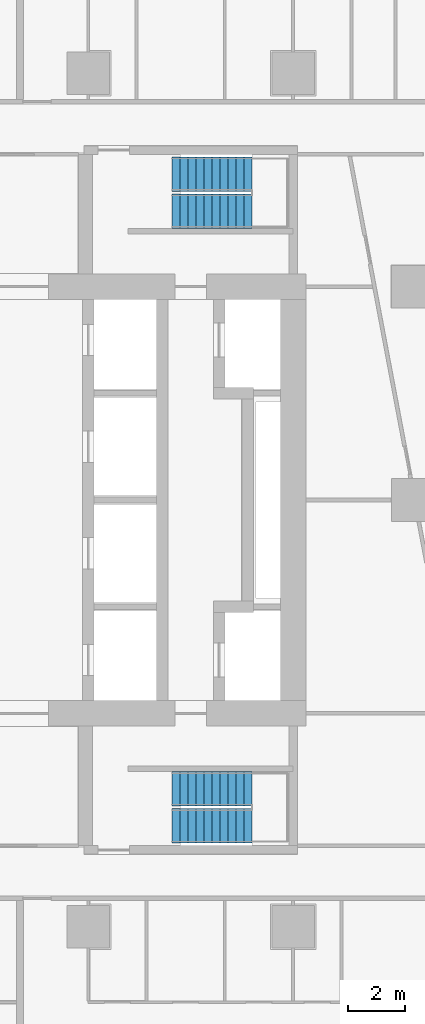
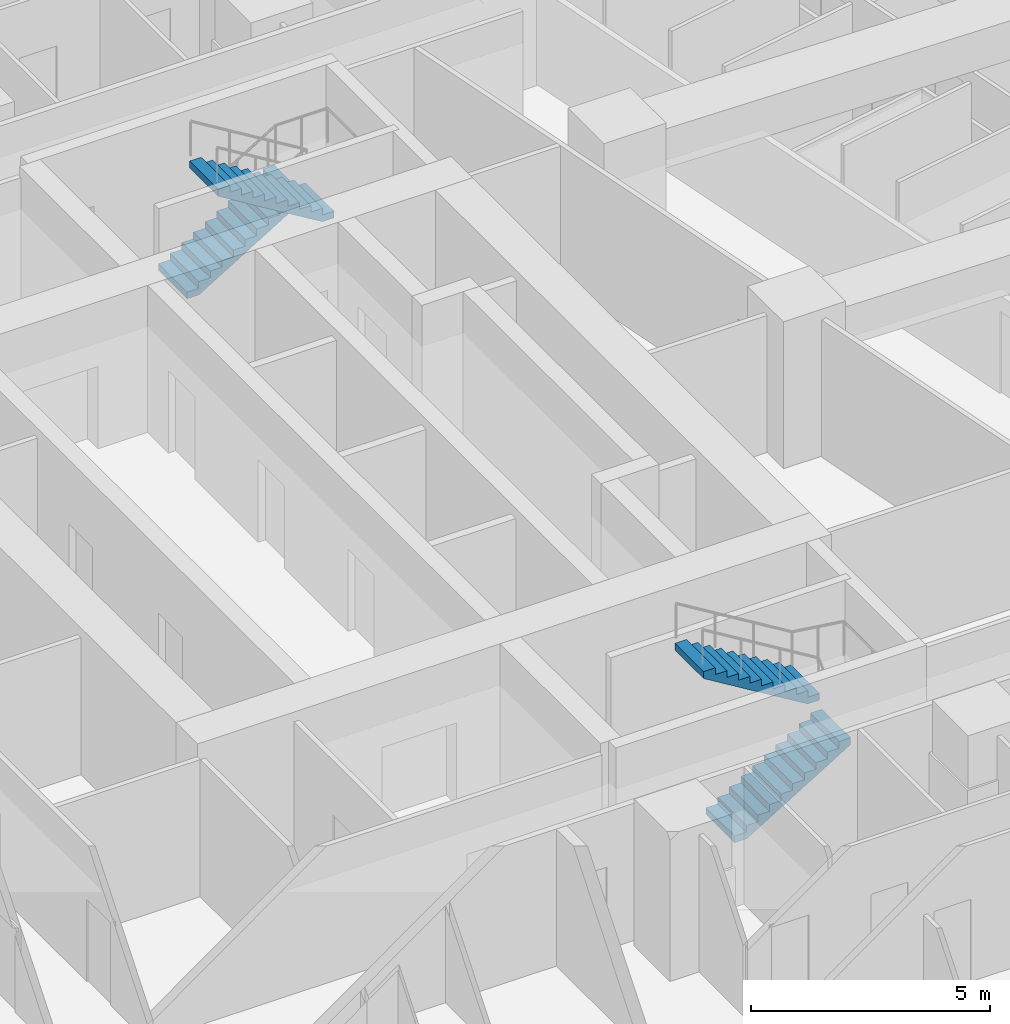
# One storey, part 13 of 15: 4 stair flights, 2 elements without a shape of their own.
"""IFC4 building model written with IfcOpenShell, lengths in metres."""

from ifc_helpers import new_model, si_unit, direction, frame, origin, place, context, subcontext, project, spatial, triangles, material, type_object, element, aggregate, save


model = new_model("IFC4")

# Units and contexts
model_context = context("Model", 3, precision=1e-05, world=origin(), true_north=direction((0.0, 1.0)))
body_context = subcontext(model_context, "Body", "Model", "MODEL_VIEW")
ifc_project = project(units=[si_unit("LENGTHUNIT", "METRE"), si_unit("AREAUNIT", "SQUARE_METRE"), si_unit("VOLUMEUNIT", "CUBIC_METRE"), si_unit("PLANEANGLEUNIT", "RADIAN"), si_unit("MASSUNIT", "GRAM", prefix="KILO")], contexts=[model_context])

# Site, building, storey
site_placement = place(None, origin())
site = spatial("IfcSite", under=ifc_project, at=site_placement, CompositionType="ELEMENT")
building_placement = place(site_placement, origin())
building = spatial("IfcBuilding", under=site, at=building_placement, Name="Sheger Commons Tower", CompositionType="ELEMENT")
storey_placement = place(building_placement, frame((0.0, 0.0, 165.800048828125)))
storey = spatial("IfcBuildingStorey", under=building, at=storey_placement, Name="L42", CompositionType="ELEMENT", Elevation=165.800048828125)

# Stair, stair flights
ifc_material_1 = material(Name="Concrete C35/45", Category="concrete")
stair_type = type_object("IfcStairType", Name="HALF-TURN STAIR 1200 RISE 3750", PredefinedType="HALF_TURN_STAIR", material=ifc_material_1)
stair_1_placement = place(storey_placement, origin())
stair_1 = element("IfcStair", 1, at=stair_1_placement, inside=storey, type_object=stair_type, Name="Stair S1 L42", PredefinedType="HALF_TURN_STAIR")
ifc_material_2 = material(Name="Concrete C35/45", Category="concrete")
stair_flight_type = type_object("IfcStairFlightType", Name="STAIR FLIGHT 1200 11 RISERS OF 170", PredefinedType="STRAIGHT", material=ifc_material_2)
stair_flight_1_placement = place(storey_placement, frame((24.550048828125, 11.050048828125, 0.0), z_axis=(0.0, 0.0, 1.0), x_axis=(1.0, 0.0, 0.0)))
stair_flight_1 = element("IfcStairFlight", 2, at=stair_flight_1_placement, type_object=stair_flight_type, Name="S1 flight 1", NumberOfRisers=11, NumberOfTreads=10, PredefinedType="STRAIGHT", RiserHeight=0.170454545, TreadLength=0.28, context=body_context, shape_type="Tessellation", body=[
    triangles([(0.0, 0.5999755859375, 0.0), (0.0, 0.5999755859375, 0.17041015625), (0.280029296875, 0.5999755859375, 0.17041015625), (0.280029296875, 0.5999755859375, 0.3408203125), (0.56005859375, 0.5999755859375, 0.3408203125), (0.56005859375, 0.5999755859375, 0.511474609375), (0.840087890625, 0.5999755859375, 0.511474609375), (0.840087890625, 0.5999755859375, 0.681884765625), (1.1201171875, 0.5999755859375, 0.681884765625), (1.1201171875, 0.5999755859375, 0.852294921875), (1.39990234375, 0.5999755859375, 0.852294921875), (1.39990234375, 0.5999755859375, 1.022705078125), (1.679931640625, 0.5999755859375, 1.022705078125), (1.679931640625, 0.5999755859375, 1.193115234375), (1.9599609375, 0.5999755859375, 1.193115234375), (1.9599609375, 0.5999755859375, 1.363525390625), (2.239990234375, 0.5999755859375, 1.363525390625), (2.239990234375, 0.5999755859375, 1.5341796875), (2.52001953125, 0.5999755859375, 1.5341796875), (2.52001953125, 0.5999755859375, 1.70458984375), (2.800048828125, 0.5999755859375, 1.70458984375), (2.800048828125, 0.5999755859375, 1.529052734375), (0.288330078125, 0.5999755859375, 0.0), (0.0, -0.5999755859375, 0.0), (0.0, -0.5999755859375, 0.17041015625), (0.280029296875, -0.5999755859375, 0.17041015625), (0.280029296875, -0.5999755859375, 0.3408203125), (0.56005859375, -0.5999755859375, 0.3408203125), (0.56005859375, -0.5999755859375, 0.511474609375), (0.840087890625, -0.5999755859375, 0.511474609375), (0.840087890625, -0.5999755859375, 0.681884765625), (1.1201171875, -0.5999755859375, 0.681884765625), (1.1201171875, -0.5999755859375, 0.852294921875), (1.39990234375, -0.5999755859375, 0.852294921875), (1.39990234375, -0.5999755859375, 1.022705078125), (1.679931640625, -0.5999755859375, 1.022705078125), (1.679931640625, -0.5999755859375, 1.193115234375), (1.9599609375, -0.5999755859375, 1.193115234375), (1.9599609375, -0.5999755859375, 1.363525390625), (2.239990234375, -0.5999755859375, 1.363525390625), (2.239990234375, -0.5999755859375, 1.5341796875), (2.52001953125, -0.5999755859375, 1.5341796875), (2.52001953125, -0.5999755859375, 1.70458984375), (2.800048828125, -0.5999755859375, 1.70458984375), (2.800048828125, -0.5999755859375, 1.529052734375), (0.288330078125, -0.5999755859375, 0.0), (0.0, 0.0, 0.085205078125), (0.1400146484375, 0.0, 0.17041015625), (0.280029296875, 0.0, 0.255615234375), (0.4200439453125, 0.0, 0.3408203125), (0.56005859375, 0.0, 0.4261474609375), (0.7000732421875, 0.0, 0.511474609375), (0.840087890625, 0.0, 0.5966796875), (0.9801025390625, 0.0, 0.681884765625), (1.1201171875, 0.0, 0.76708984375), (1.260009765625, 0.0, 0.852294921875), (1.39990234375, 0.0, 0.9375), (1.5399169921875, 0.0, 1.022705078125), (1.679931640625, 0.0, 1.10791015625), (1.8199462890625, 0.0, 1.193115234375), (1.9599609375, 0.0, 1.2783203125), (2.0999755859375, 0.0, 1.363525390625), (2.239990234375, 0.0, 1.4488525390625), (2.3800048828125, 0.0, 1.5341796875), (2.52001953125, 0.0, 1.619384765625), (2.6600341796875, 0.0, 1.70458984375), (2.800048828125, 0.0, 1.6168212890625), (1.544189453125, 0.0, 0.7645263671875), (0.1441650390625, 0.0, 0.0)], [[1, 22, 23], [24, 46, 45], [22, 20, 21], [45, 44, 43], [22, 19, 20], [45, 43, 42], [22, 18, 19], [45, 42, 41], [22, 17, 18], [45, 41, 40], [17, 15, 16], [40, 39, 38], [22, 15, 17], [45, 40, 38], [15, 13, 14], [38, 37, 36], [22, 13, 15], [45, 38, 36], [13, 11, 12], [36, 35, 34], [22, 11, 13], [45, 36, 34], [11, 9, 10], [34, 33, 32], [22, 9, 11], [45, 34, 32], [9, 7, 8], [32, 31, 30], [22, 7, 9], [45, 32, 30], [7, 5, 6], [30, 29, 28], [22, 5, 7], [45, 30, 28], [5, 3, 4], [28, 27, 26], [22, 3, 5], [45, 28, 26], [1, 3, 22], [24, 45, 26], [3, 1, 2], [26, 25, 24], [1, 47, 2], [2, 47, 25], [25, 47, 24], [24, 47, 1], [2, 48, 3], [3, 48, 26], [26, 48, 25], [25, 48, 2], [3, 49, 4], [4, 49, 27], [27, 49, 26], [26, 49, 3], [4, 50, 5], [5, 50, 28], [28, 50, 27], [27, 50, 4], [5, 51, 6], [6, 51, 29], [29, 51, 28], [28, 51, 5], [6, 52, 7], [7, 52, 30], [30, 52, 29], [29, 52, 6], [7, 53, 8], [8, 53, 31], [31, 53, 30], [30, 53, 7], [8, 54, 9], [9, 54, 32], [32, 54, 31], [31, 54, 8], [9, 55, 10], [10, 55, 33], [33, 55, 32], [32, 55, 9], [10, 56, 11], [11, 56, 34], [34, 56, 33], [33, 56, 10], [11, 57, 12], [12, 57, 35], [35, 57, 34], [34, 57, 11], [12, 58, 13], [13, 58, 36], [36, 58, 35], [35, 58, 12], [13, 59, 14], [14, 59, 37], [37, 59, 36], [36, 59, 13], [14, 60, 15], [15, 60, 38], [38, 60, 37], [37, 60, 14], [15, 61, 16], [16, 61, 39], [39, 61, 38], [38, 61, 15], [16, 62, 17], [17, 62, 40], [40, 62, 39], [39, 62, 16], [17, 63, 18], [18, 63, 41], [41, 63, 40], [40, 63, 17], [18, 64, 19], [19, 64, 42], [42, 64, 41], [41, 64, 18], [19, 65, 20], [20, 65, 43], [43, 65, 42], [42, 65, 19], [20, 66, 21], [21, 66, 44], [44, 66, 43], [43, 66, 20], [21, 67, 22], [22, 67, 45], [45, 67, 44], [44, 67, 21], [22, 68, 23], [23, 68, 46], [46, 68, 45], [45, 68, 22], [23, 69, 1], [1, 69, 24], [24, 69, 46], [46, 69, 23]], closed=True),
])
stair_flight_2_placement = place(storey_placement, frame((27.35009765625, 12.35009765625, 1.875), z_axis=(0.0, 0.0, 1.0), x_axis=(-1.0, 0.0, 0.0)))
stair_flight_2 = element("IfcStairFlight", 3, at=stair_flight_2_placement, type_object=stair_flight_type, Name="S1 flight 2", NumberOfRisers=11, NumberOfTreads=10, PredefinedType="STRAIGHT", RiserHeight=0.170454545, TreadLength=0.28, context=body_context, shape_type="Tessellation", body=[
    triangles([(0.0, 0.5999755859375, 0.0), (0.0, 0.5999755859375, 0.17041015625), (0.280029296875, 0.5999755859375, 0.17041015625), (0.280029296875, 0.5999755859375, 0.3408203125), (0.56005859375, 0.5999755859375, 0.3408203125), (0.56005859375, 0.5999755859375, 0.511474609375), (0.840087890625, 0.5999755859375, 0.511474609375), (0.840087890625, 0.5999755859375, 0.681884765625), (1.1201171875, 0.5999755859375, 0.681884765625), (1.1201171875, 0.5999755859375, 0.852294921875), (1.39990234375, 0.5999755859375, 0.852294921875), (1.39990234375, 0.5999755859375, 1.022705078125), (1.679931640625, 0.5999755859375, 1.022705078125), (1.679931640625, 0.5999755859375, 1.193115234375), (1.9599609375, 0.5999755859375, 1.193115234375), (1.9599609375, 0.5999755859375, 1.363525390625), (2.239990234375, 0.5999755859375, 1.363525390625), (2.239990234375, 0.5999755859375, 1.5341796875), (2.52001953125, 0.5999755859375, 1.5341796875), (2.52001953125, 0.5999755859375, 1.70458984375), (2.800048828125, 0.5999755859375, 1.70458984375), (2.800048828125, 0.5999755859375, 1.529052734375), (0.288330078125, 0.5999755859375, 0.0), (0.0, -0.5999755859375, 0.0), (0.0, -0.5999755859375, 0.17041015625), (0.280029296875, -0.5999755859375, 0.17041015625), (0.280029296875, -0.5999755859375, 0.3408203125), (0.56005859375, -0.5999755859375, 0.3408203125), (0.56005859375, -0.5999755859375, 0.511474609375), (0.840087890625, -0.5999755859375, 0.511474609375), (0.840087890625, -0.5999755859375, 0.681884765625), (1.1201171875, -0.5999755859375, 0.681884765625), (1.1201171875, -0.5999755859375, 0.852294921875), (1.39990234375, -0.5999755859375, 0.852294921875), (1.39990234375, -0.5999755859375, 1.022705078125), (1.679931640625, -0.5999755859375, 1.022705078125), (1.679931640625, -0.5999755859375, 1.193115234375), (1.9599609375, -0.5999755859375, 1.193115234375), (1.9599609375, -0.5999755859375, 1.363525390625), (2.239990234375, -0.5999755859375, 1.363525390625), (2.239990234375, -0.5999755859375, 1.5341796875), (2.52001953125, -0.5999755859375, 1.5341796875), (2.52001953125, -0.5999755859375, 1.70458984375), (2.800048828125, -0.5999755859375, 1.70458984375), (2.800048828125, -0.5999755859375, 1.529052734375), (0.288330078125, -0.5999755859375, 0.0), (0.0, 0.0, 0.085205078125), (0.1400146484375, 0.0, 0.17041015625), (0.280029296875, 0.0, 0.255615234375), (0.4200439453125, 0.0, 0.3408203125), (0.56005859375, 0.0, 0.4261474609375), (0.7000732421875, 0.0, 0.511474609375), (0.840087890625, 0.0, 0.5966796875), (0.9801025390625, 0.0, 0.681884765625), (1.1201171875, 0.0, 0.76708984375), (1.260009765625, 0.0, 0.852294921875), (1.39990234375, 0.0, 0.9375), (1.5399169921875, 0.0, 1.022705078125), (1.679931640625, 0.0, 1.10791015625), (1.8199462890625, 0.0, 1.193115234375), (1.9599609375, 0.0, 1.2783203125), (2.0999755859375, 0.0, 1.363525390625), (2.239990234375, 0.0, 1.4488525390625), (2.3800048828125, 0.0, 1.5341796875), (2.52001953125, 0.0, 1.619384765625), (2.6600341796875, 0.0, 1.70458984375), (2.800048828125, 0.0, 1.6168212890625), (1.544189453125, 0.0, 0.7645263671875), (0.1441650390625, 0.0, 0.0)], [[1, 22, 23], [24, 46, 45], [22, 20, 21], [45, 44, 43], [22, 19, 20], [45, 43, 42], [22, 18, 19], [45, 42, 41], [22, 17, 18], [45, 41, 40], [17, 15, 16], [40, 39, 38], [22, 15, 17], [45, 40, 38], [15, 13, 14], [38, 37, 36], [22, 13, 15], [45, 38, 36], [13, 11, 12], [36, 35, 34], [22, 11, 13], [45, 36, 34], [11, 9, 10], [34, 33, 32], [22, 9, 11], [45, 34, 32], [9, 7, 8], [32, 31, 30], [22, 7, 9], [45, 32, 30], [7, 5, 6], [30, 29, 28], [22, 5, 7], [45, 30, 28], [5, 3, 4], [28, 27, 26], [22, 3, 5], [45, 28, 26], [1, 3, 22], [24, 45, 26], [3, 1, 2], [26, 25, 24], [1, 47, 2], [2, 47, 25], [25, 47, 24], [24, 47, 1], [2, 48, 3], [3, 48, 26], [26, 48, 25], [25, 48, 2], [3, 49, 4], [4, 49, 27], [27, 49, 26], [26, 49, 3], [4, 50, 5], [5, 50, 28], [28, 50, 27], [27, 50, 4], [5, 51, 6], [6, 51, 29], [29, 51, 28], [28, 51, 5], [6, 52, 7], [7, 52, 30], [30, 52, 29], [29, 52, 6], [7, 53, 8], [8, 53, 31], [31, 53, 30], [30, 53, 7], [8, 54, 9], [9, 54, 32], [32, 54, 31], [31, 54, 8], [9, 55, 10], [10, 55, 33], [33, 55, 32], [32, 55, 9], [10, 56, 11], [11, 56, 34], [34, 56, 33], [33, 56, 10], [11, 57, 12], [12, 57, 35], [35, 57, 34], [34, 57, 11], [12, 58, 13], [13, 58, 36], [36, 58, 35], [35, 58, 12], [13, 59, 14], [14, 59, 37], [37, 59, 36], [36, 59, 13], [14, 60, 15], [15, 60, 38], [38, 60, 37], [37, 60, 14], [15, 61, 16], [16, 61, 39], [39, 61, 38], [38, 61, 15], [16, 62, 17], [17, 62, 40], [40, 62, 39], [39, 62, 16], [17, 63, 18], [18, 63, 41], [41, 63, 40], [40, 63, 17], [18, 64, 19], [19, 64, 42], [42, 64, 41], [41, 64, 18], [19, 65, 20], [20, 65, 43], [43, 65, 42], [42, 65, 19], [20, 66, 21], [21, 66, 44], [44, 66, 43], [43, 66, 20], [21, 67, 22], [22, 67, 45], [45, 67, 44], [44, 67, 21], [22, 68, 23], [23, 68, 46], [46, 68, 45], [45, 68, 22], [23, 69, 1], [1, 69, 24], [24, 69, 46], [46, 69, 23]], closed=True),
])
aggregate(stair_1, [stair_flight_1, stair_flight_2])

stair_2_placement = place(storey_placement, origin())
stair_2 = element("IfcStair", 4, at=stair_2_placement, inside=storey, type_object=stair_type, Name="Stair S2 L42", PredefinedType="HALF_TURN_STAIR")
stair_flight_3_placement = place(storey_placement, frame((24.550048828125, 33.949951171875, 0.0), z_axis=(0.0, 0.0, 1.0), x_axis=(1.0, 0.0, 0.0)))
stair_flight_3 = element("IfcStairFlight", 5, at=stair_flight_3_placement, type_object=stair_flight_type, Name="S2 flight 1", NumberOfRisers=11, NumberOfTreads=10, PredefinedType="STRAIGHT", RiserHeight=0.170454545, TreadLength=0.28, context=body_context, shape_type="Tessellation", body=[
    triangles([(0.0, 0.5999755859375, 0.0), (0.0, 0.5999755859375, 0.17041015625), (0.280029296875, 0.5999755859375, 0.17041015625), (0.280029296875, 0.5999755859375, 0.3408203125), (0.56005859375, 0.5999755859375, 0.3408203125), (0.56005859375, 0.5999755859375, 0.511474609375), (0.840087890625, 0.5999755859375, 0.511474609375), (0.840087890625, 0.5999755859375, 0.681884765625), (1.1201171875, 0.5999755859375, 0.681884765625), (1.1201171875, 0.5999755859375, 0.852294921875), (1.39990234375, 0.5999755859375, 0.852294921875), (1.39990234375, 0.5999755859375, 1.022705078125), (1.679931640625, 0.5999755859375, 1.022705078125), (1.679931640625, 0.5999755859375, 1.193115234375), (1.9599609375, 0.5999755859375, 1.193115234375), (1.9599609375, 0.5999755859375, 1.363525390625), (2.239990234375, 0.5999755859375, 1.363525390625), (2.239990234375, 0.5999755859375, 1.5341796875), (2.52001953125, 0.5999755859375, 1.5341796875), (2.52001953125, 0.5999755859375, 1.70458984375), (2.800048828125, 0.5999755859375, 1.70458984375), (2.800048828125, 0.5999755859375, 1.529052734375), (0.288330078125, 0.5999755859375, 0.0), (0.0, -0.5999755859375, 0.0), (0.0, -0.5999755859375, 0.17041015625), (0.280029296875, -0.5999755859375, 0.17041015625), (0.280029296875, -0.5999755859375, 0.3408203125), (0.56005859375, -0.5999755859375, 0.3408203125), (0.56005859375, -0.5999755859375, 0.511474609375), (0.840087890625, -0.5999755859375, 0.511474609375), (0.840087890625, -0.5999755859375, 0.681884765625), (1.1201171875, -0.5999755859375, 0.681884765625), (1.1201171875, -0.5999755859375, 0.852294921875), (1.39990234375, -0.5999755859375, 0.852294921875), (1.39990234375, -0.5999755859375, 1.022705078125), (1.679931640625, -0.5999755859375, 1.022705078125), (1.679931640625, -0.5999755859375, 1.193115234375), (1.9599609375, -0.5999755859375, 1.193115234375), (1.9599609375, -0.5999755859375, 1.363525390625), (2.239990234375, -0.5999755859375, 1.363525390625), (2.239990234375, -0.5999755859375, 1.5341796875), (2.52001953125, -0.5999755859375, 1.5341796875), (2.52001953125, -0.5999755859375, 1.70458984375), (2.800048828125, -0.5999755859375, 1.70458984375), (2.800048828125, -0.5999755859375, 1.529052734375), (0.288330078125, -0.5999755859375, 0.0), (0.0, 0.0, 0.085205078125), (0.1400146484375, 0.0, 0.17041015625), (0.280029296875, 0.0, 0.255615234375), (0.4200439453125, 0.0, 0.3408203125), (0.56005859375, 0.0, 0.4261474609375), (0.7000732421875, 0.0, 0.511474609375), (0.840087890625, 0.0, 0.5966796875), (0.9801025390625, 0.0, 0.681884765625), (1.1201171875, 0.0, 0.76708984375), (1.260009765625, 0.0, 0.852294921875), (1.39990234375, 0.0, 0.9375), (1.5399169921875, 0.0, 1.022705078125), (1.679931640625, 0.0, 1.10791015625), (1.8199462890625, 0.0, 1.193115234375), (1.9599609375, 0.0, 1.2783203125), (2.0999755859375, 0.0, 1.363525390625), (2.239990234375, 0.0, 1.4488525390625), (2.3800048828125, 0.0, 1.5341796875), (2.52001953125, 0.0, 1.619384765625), (2.6600341796875, 0.0, 1.70458984375), (2.800048828125, 0.0, 1.6168212890625), (1.544189453125, 0.0, 0.7645263671875), (0.1441650390625, 0.0, 0.0)], [[1, 22, 23], [24, 46, 45], [22, 20, 21], [45, 44, 43], [22, 19, 20], [45, 43, 42], [22, 18, 19], [45, 42, 41], [22, 17, 18], [45, 41, 40], [17, 15, 16], [40, 39, 38], [22, 15, 17], [45, 40, 38], [15, 13, 14], [38, 37, 36], [22, 13, 15], [45, 38, 36], [13, 11, 12], [36, 35, 34], [22, 11, 13], [45, 36, 34], [11, 9, 10], [34, 33, 32], [22, 9, 11], [45, 34, 32], [9, 7, 8], [32, 31, 30], [22, 7, 9], [45, 32, 30], [7, 5, 6], [30, 29, 28], [22, 5, 7], [45, 30, 28], [5, 3, 4], [28, 27, 26], [22, 3, 5], [45, 28, 26], [1, 3, 22], [24, 45, 26], [3, 1, 2], [26, 25, 24], [1, 47, 2], [2, 47, 25], [25, 47, 24], [24, 47, 1], [2, 48, 3], [3, 48, 26], [26, 48, 25], [25, 48, 2], [3, 49, 4], [4, 49, 27], [27, 49, 26], [26, 49, 3], [4, 50, 5], [5, 50, 28], [28, 50, 27], [27, 50, 4], [5, 51, 6], [6, 51, 29], [29, 51, 28], [28, 51, 5], [6, 52, 7], [7, 52, 30], [30, 52, 29], [29, 52, 6], [7, 53, 8], [8, 53, 31], [31, 53, 30], [30, 53, 7], [8, 54, 9], [9, 54, 32], [32, 54, 31], [31, 54, 8], [9, 55, 10], [10, 55, 33], [33, 55, 32], [32, 55, 9], [10, 56, 11], [11, 56, 34], [34, 56, 33], [33, 56, 10], [11, 57, 12], [12, 57, 35], [35, 57, 34], [34, 57, 11], [12, 58, 13], [13, 58, 36], [36, 58, 35], [35, 58, 12], [13, 59, 14], [14, 59, 37], [37, 59, 36], [36, 59, 13], [14, 60, 15], [15, 60, 38], [38, 60, 37], [37, 60, 14], [15, 61, 16], [16, 61, 39], [39, 61, 38], [38, 61, 15], [16, 62, 17], [17, 62, 40], [40, 62, 39], [39, 62, 16], [17, 63, 18], [18, 63, 41], [41, 63, 40], [40, 63, 17], [18, 64, 19], [19, 64, 42], [42, 64, 41], [41, 64, 18], [19, 65, 20], [20, 65, 43], [43, 65, 42], [42, 65, 19], [20, 66, 21], [21, 66, 44], [44, 66, 43], [43, 66, 20], [21, 67, 22], [22, 67, 45], [45, 67, 44], [44, 67, 21], [22, 68, 23], [23, 68, 46], [46, 68, 45], [45, 68, 22], [23, 69, 1], [1, 69, 24], [24, 69, 46], [46, 69, 23]], closed=True),
])
stair_flight_4_placement = place(storey_placement, frame((27.35009765625, 32.64990234375, 1.875), z_axis=(0.0, 0.0, 1.0), x_axis=(-1.0, 0.0, 0.0)))
stair_flight_4 = element("IfcStairFlight", 6, at=stair_flight_4_placement, type_object=stair_flight_type, Name="S2 flight 2", NumberOfRisers=11, NumberOfTreads=10, PredefinedType="STRAIGHT", RiserHeight=0.170454545, TreadLength=0.28, context=body_context, shape_type="Tessellation", body=[
    triangles([(0.0, 0.5999755859375, 0.0), (0.0, 0.5999755859375, 0.17041015625), (0.280029296875, 0.5999755859375, 0.17041015625), (0.280029296875, 0.5999755859375, 0.3408203125), (0.56005859375, 0.5999755859375, 0.3408203125), (0.56005859375, 0.5999755859375, 0.511474609375), (0.840087890625, 0.5999755859375, 0.511474609375), (0.840087890625, 0.5999755859375, 0.681884765625), (1.1201171875, 0.5999755859375, 0.681884765625), (1.1201171875, 0.5999755859375, 0.852294921875), (1.39990234375, 0.5999755859375, 0.852294921875), (1.39990234375, 0.5999755859375, 1.022705078125), (1.679931640625, 0.5999755859375, 1.022705078125), (1.679931640625, 0.5999755859375, 1.193115234375), (1.9599609375, 0.5999755859375, 1.193115234375), (1.9599609375, 0.5999755859375, 1.363525390625), (2.239990234375, 0.5999755859375, 1.363525390625), (2.239990234375, 0.5999755859375, 1.5341796875), (2.52001953125, 0.5999755859375, 1.5341796875), (2.52001953125, 0.5999755859375, 1.70458984375), (2.800048828125, 0.5999755859375, 1.70458984375), (2.800048828125, 0.5999755859375, 1.529052734375), (0.288330078125, 0.5999755859375, 0.0), (0.0, -0.5999755859375, 0.0), (0.0, -0.5999755859375, 0.17041015625), (0.280029296875, -0.5999755859375, 0.17041015625), (0.280029296875, -0.5999755859375, 0.3408203125), (0.56005859375, -0.5999755859375, 0.3408203125), (0.56005859375, -0.5999755859375, 0.511474609375), (0.840087890625, -0.5999755859375, 0.511474609375), (0.840087890625, -0.5999755859375, 0.681884765625), (1.1201171875, -0.5999755859375, 0.681884765625), (1.1201171875, -0.5999755859375, 0.852294921875), (1.39990234375, -0.5999755859375, 0.852294921875), (1.39990234375, -0.5999755859375, 1.022705078125), (1.679931640625, -0.5999755859375, 1.022705078125), (1.679931640625, -0.5999755859375, 1.193115234375), (1.9599609375, -0.5999755859375, 1.193115234375), (1.9599609375, -0.5999755859375, 1.363525390625), (2.239990234375, -0.5999755859375, 1.363525390625), (2.239990234375, -0.5999755859375, 1.5341796875), (2.52001953125, -0.5999755859375, 1.5341796875), (2.52001953125, -0.5999755859375, 1.70458984375), (2.800048828125, -0.5999755859375, 1.70458984375), (2.800048828125, -0.5999755859375, 1.529052734375), (0.288330078125, -0.5999755859375, 0.0), (0.0, 0.0, 0.085205078125), (0.1400146484375, 0.0, 0.17041015625), (0.280029296875, 0.0, 0.255615234375), (0.4200439453125, 0.0, 0.3408203125), (0.56005859375, 0.0, 0.4261474609375), (0.7000732421875, 0.0, 0.511474609375), (0.840087890625, 0.0, 0.5966796875), (0.9801025390625, 0.0, 0.681884765625), (1.1201171875, 0.0, 0.76708984375), (1.260009765625, 0.0, 0.852294921875), (1.39990234375, 0.0, 0.9375), (1.5399169921875, 0.0, 1.022705078125), (1.679931640625, 0.0, 1.10791015625), (1.8199462890625, 0.0, 1.193115234375), (1.9599609375, 0.0, 1.2783203125), (2.0999755859375, 0.0, 1.363525390625), (2.239990234375, 0.0, 1.4488525390625), (2.3800048828125, 0.0, 1.5341796875), (2.52001953125, 0.0, 1.619384765625), (2.6600341796875, 0.0, 1.70458984375), (2.800048828125, 0.0, 1.6168212890625), (1.544189453125, 0.0, 0.7645263671875), (0.1441650390625, 0.0, 0.0)], [[1, 22, 23], [24, 46, 45], [22, 20, 21], [45, 44, 43], [22, 19, 20], [45, 43, 42], [22, 18, 19], [45, 42, 41], [22, 17, 18], [45, 41, 40], [17, 15, 16], [40, 39, 38], [22, 15, 17], [45, 40, 38], [15, 13, 14], [38, 37, 36], [22, 13, 15], [45, 38, 36], [13, 11, 12], [36, 35, 34], [22, 11, 13], [45, 36, 34], [11, 9, 10], [34, 33, 32], [22, 9, 11], [45, 34, 32], [9, 7, 8], [32, 31, 30], [22, 7, 9], [45, 32, 30], [7, 5, 6], [30, 29, 28], [22, 5, 7], [45, 30, 28], [5, 3, 4], [28, 27, 26], [22, 3, 5], [45, 28, 26], [1, 3, 22], [24, 45, 26], [3, 1, 2], [26, 25, 24], [1, 47, 2], [2, 47, 25], [25, 47, 24], [24, 47, 1], [2, 48, 3], [3, 48, 26], [26, 48, 25], [25, 48, 2], [3, 49, 4], [4, 49, 27], [27, 49, 26], [26, 49, 3], [4, 50, 5], [5, 50, 28], [28, 50, 27], [27, 50, 4], [5, 51, 6], [6, 51, 29], [29, 51, 28], [28, 51, 5], [6, 52, 7], [7, 52, 30], [30, 52, 29], [29, 52, 6], [7, 53, 8], [8, 53, 31], [31, 53, 30], [30, 53, 7], [8, 54, 9], [9, 54, 32], [32, 54, 31], [31, 54, 8], [9, 55, 10], [10, 55, 33], [33, 55, 32], [32, 55, 9], [10, 56, 11], [11, 56, 34], [34, 56, 33], [33, 56, 10], [11, 57, 12], [12, 57, 35], [35, 57, 34], [34, 57, 11], [12, 58, 13], [13, 58, 36], [36, 58, 35], [35, 58, 12], [13, 59, 14], [14, 59, 37], [37, 59, 36], [36, 59, 13], [14, 60, 15], [15, 60, 38], [38, 60, 37], [37, 60, 14], [15, 61, 16], [16, 61, 39], [39, 61, 38], [38, 61, 15], [16, 62, 17], [17, 62, 40], [40, 62, 39], [39, 62, 16], [17, 63, 18], [18, 63, 41], [41, 63, 40], [40, 63, 17], [18, 64, 19], [19, 64, 42], [42, 64, 41], [41, 64, 18], [19, 65, 20], [20, 65, 43], [43, 65, 42], [42, 65, 19], [20, 66, 21], [21, 66, 44], [44, 66, 43], [43, 66, 20], [21, 67, 22], [22, 67, 45], [45, 67, 44], [44, 67, 21], [22, 68, 23], [23, 68, 46], [46, 68, 45], [45, 68, 22], [23, 69, 1], [1, 69, 24], [24, 69, 46], [46, 69, 23]], closed=True),
])
aggregate(stair_2, [stair_flight_3, stair_flight_4])

save(model, "model.ifc")
